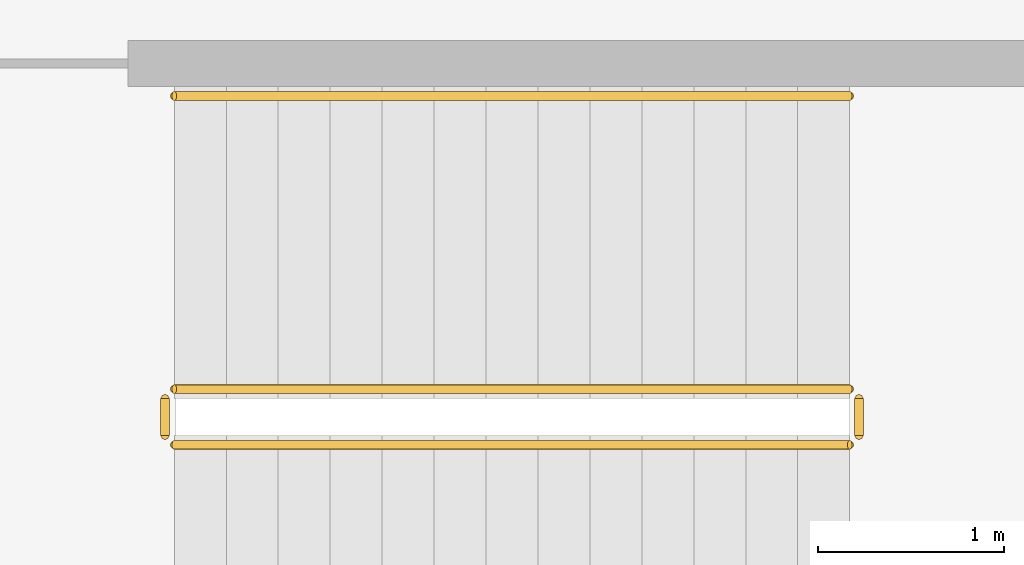
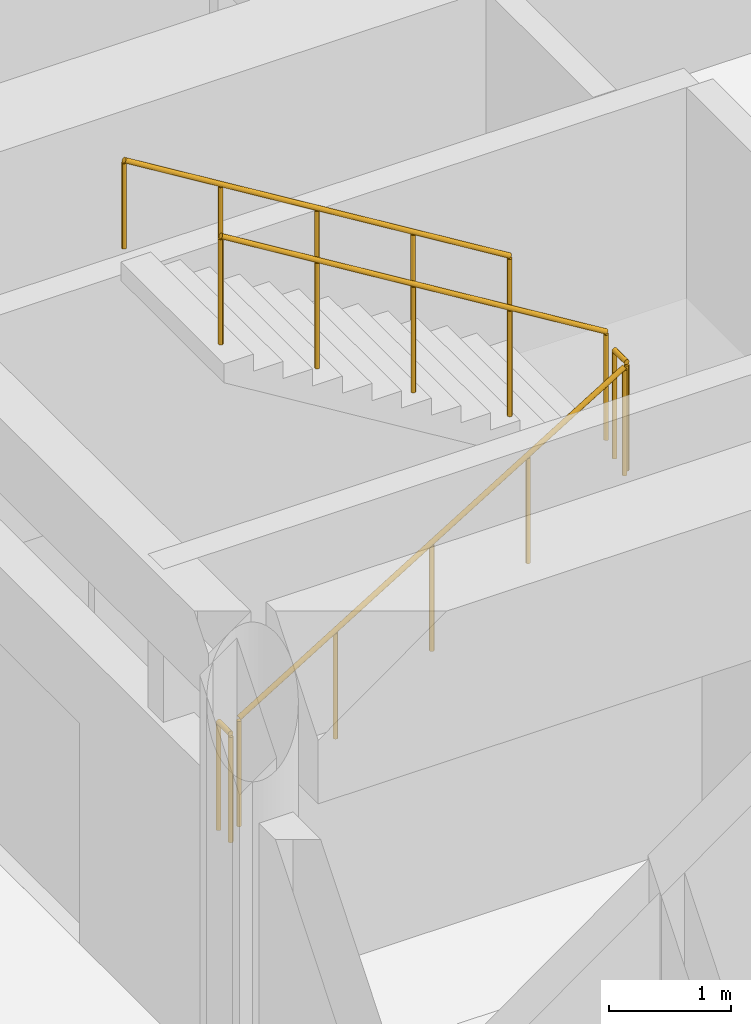
# One storey, part 105 of 122: 5 railings.
"""IFC4 building model written with IfcOpenShell, lengths in metres."""

from ifc_helpers import new_model, si_unit, direction, frame, origin, origin_2d, place, context, subcontext, project, spatial, circle, extrude, material, layer, layer_set, type_object, element, save


model = new_model("IFC4")

# Units and contexts
model_context = context("Model", 3, precision=1e-05, world=origin(), true_north=direction((0.0, 1.0)))
body_context = subcontext(model_context, "Body", "Model", "MODEL_VIEW")
ifc_project = project(units=[si_unit("LENGTHUNIT", "METRE"), si_unit("AREAUNIT", "SQUARE_METRE"), si_unit("VOLUMEUNIT", "CUBIC_METRE"), si_unit("PLANEANGLEUNIT", "RADIAN"), si_unit("MASSUNIT", "GRAM", prefix="KILO")], contexts=[model_context])

# Site, building, storey
site_placement = place(None, origin())
site = spatial("IfcSite", under=ifc_project, at=site_placement, CompositionType="ELEMENT")
building_placement = place(site_placement, origin())
building = spatial("IfcBuilding", under=site, at=building_placement, Name="Qasida Concert Hall", CompositionType="ELEMENT")
storey_placement = place(building_placement, origin())
storey = spatial("IfcBuildingStorey", under=building, at=storey_placement, Name="L00", CompositionType="ELEMENT", Elevation=0.0)

# Railings
ifc_material_1 = material(Name="Patinated architectural bronze and laminated glass infill", Category="glass")
ifc_layer_1 = layer(ifc_material_1, 0.080078125, Name="Patinated architectural bronze and laminated glass infill")
ifc_layer_set_1 = layer_set([ifc_layer_1], Name="Patinated architectural bronze and laminated glass infill")
railing_type_1 = type_object("IfcRailingType", Name="RL-GRD-1100", PredefinedType="GUARDRAIL", material=ifc_layer_set_1)
railing_1_placement = place(storey_placement, frame((1.679931640625, 25.6298828125, 0.17138671875)))
element("IfcRailing", 1, at=railing_1_placement, inside=storey, type_object=railing_type_1, Name="L00 ST-03 stair guard 1", PredefinedType="GUARDRAIL", context=body_context, shape_type="SweptSolid", body=[
    extrude(circle(Radius=0.02392578125, at=origin_2d()), frame((0.0, 0.0, 1.076171875), z_axis=(0.852865859571, 0.0, 0.52213008492), x_axis=(0.0, 1.0, 0.0)), (0.0, 0.0, 1.0), 4.26806640625),
    extrude(circle(Radius=0.02099609375, at=origin_2d()), origin(), (0.0, 0.0, 1.0), 1.052001953125),
    extrude(circle(Radius=0.02099609375, at=origin_2d()), frame((0.91015625, 0.0, 0.55712890625)), (0.0, 0.0, 1.0), 1.052001953125),
    extrude(circle(Radius=0.02099609375, at=origin_2d()), frame((1.820068359375, 0.0, 1.1142578125)), (0.0, 0.0, 1.0), 1.052001953125),
    extrude(circle(Radius=0.02099609375, at=origin_2d()), frame((2.72998046875, 0.0, 1.67138671875)), (0.0, 0.0, 1.0), 1.052001953125),
    extrude(circle(Radius=0.02099609375, at=origin_2d()), frame((3.64013671875, 0.0, 2.228515625)), (0.0, 0.0, 1.0), 1.052001953125),
])
railing_2_placement = place(storey_placement, frame((5.3701171875, 25.679931640625, 2.39990234375)))
element("IfcRailing", 2, at=railing_2_placement, inside=storey, type_object=railing_type_1, Name="L00 ST-03 stair guard 2", PredefinedType="GUARDRAIL", context=body_context, shape_type="SweptSolid", body=[
    extrude(circle(Radius=0.02392578125, at=origin_2d()), frame((0.0, 0.0, 1.076171875), z_axis=(0.0, 1.0, 0.0), x_axis=(-1.0, 0.0, 0.0)), (0.0, 0.0, 1.0), 0.199951171875),
    extrude(circle(Radius=0.02099609375, at=origin_2d()), origin(), (0.0, 0.0, 1.0), 1.052001953125),
    extrude(circle(Radius=0.02099609375, at=origin_2d()), frame((0.0, 0.199951171875, 0.0)), (0.0, 0.0, 1.0), 1.052001953125),
])
railing_3_placement = place(storey_placement, frame((5.320068359375, 25.929931640625, 2.571533203125)))
element("IfcRailing", 3, at=railing_3_placement, inside=storey, type_object=railing_type_1, Name="L00 ST-03 stair guard 3", PredefinedType="GUARDRAIL", context=body_context, shape_type="SweptSolid", body=[
    extrude(circle(Radius=0.02392578125, at=origin_2d()), frame((0.0, 0.0, 1.076171875), z_axis=(-0.852865859571, 0.0, 0.52213008492), x_axis=(0.0, -1.0, 0.0)), (0.0, 0.0, 1.0), 4.26806640625),
    extrude(circle(Radius=0.02099609375, at=origin_2d()), origin(), (0.0, 0.0, 1.0), 1.052001953125),
    extrude(circle(Radius=0.02099609375, at=origin_2d()), frame((-0.91015625, 0.0, 0.55712890625)), (0.0, 0.0, 1.0), 1.052001953125),
    extrude(circle(Radius=0.02099609375, at=origin_2d()), frame((-1.820068359375, 0.0, 1.1142578125)), (0.0, 0.0, 1.0), 1.052001953125),
    extrude(circle(Radius=0.02099609375, at=origin_2d()), frame((-2.72998046875, 0.0, 1.67138671875)), (0.0, 0.0, 1.0), 1.052001953125),
    extrude(circle(Radius=0.02099609375, at=origin_2d()), frame((-3.64013671875, 0.0, 2.228515625)), (0.0, 0.0, 1.0), 1.052001953125),
])
railing_4_placement = place(storey_placement, frame((1.6298828125, 25.679931640625, 0.0)))
element("IfcRailing", 4, at=railing_4_placement, inside=storey, type_object=railing_type_1, Name="L00 ST-03 stair guard 4", PredefinedType="GUARDRAIL", context=body_context, shape_type="SweptSolid", body=[
    extrude(circle(Radius=0.02392578125, at=origin_2d()), frame((0.0, 0.0, 1.076171875), z_axis=(0.0, 1.0, 0.0), x_axis=(-1.0, 0.0, 0.0)), (0.0, 0.0, 1.0), 0.199951171875),
    extrude(circle(Radius=0.02099609375, at=origin_2d()), origin(), (0.0, 0.0, 1.0), 1.052001953125),
    extrude(circle(Radius=0.02099609375, at=origin_2d()), frame((0.0, 0.199951171875, 0.0)), (0.0, 0.0, 1.0), 1.052001953125),
])
ifc_material_2 = material(Name="Patinated tubular architectural bronze", Category="steel")
ifc_layer_2 = layer(ifc_material_2, 0.050048828125, Name="Patinated tubular architectural bronze")
ifc_layer_set_2 = layer_set([ifc_layer_2], Name="Patinated tubular architectural bronze")
railing_type_2 = type_object("IfcRailingType", Name="RL-HND-900", PredefinedType="HANDRAIL", material=ifc_layer_set_2)
railing_5_placement = place(storey_placement, frame((5.320068359375, 27.510009765625, 2.571533203125)))
element("IfcRailing", 5, at=railing_5_placement, inside=storey, type_object=railing_type_2, Name="L00 ST-03 stair handrail 2", PredefinedType="HANDRAIL", context=body_context, shape_type="SweptSolid", body=[
    extrude(circle(Radius=0.02392578125, at=origin_2d()), frame((0.0, 0.0, 0.8759765625), z_axis=(-0.852865859571, 0.0, 0.52213008492), x_axis=(0.0, -1.0, 0.0)), (0.0, 0.0, 1.0), 4.26806640625),
    extrude(circle(Radius=0.02099609375, at=origin_2d()), origin(), (0.0, 0.0, 1.0), 0.851806640625),
    extrude(circle(Radius=0.02099609375, at=origin_2d()), frame((-0.91015625, 0.0, 0.55712890625)), (0.0, 0.0, 1.0), 0.851806640625),
    extrude(circle(Radius=0.02099609375, at=origin_2d()), frame((-1.820068359375, 0.0, 1.1142578125)), (0.0, 0.0, 1.0), 0.851806640625),
    extrude(circle(Radius=0.02099609375, at=origin_2d()), frame((-2.72998046875, 0.0, 1.67138671875)), (0.0, 0.0, 1.0), 0.851806640625),
    extrude(circle(Radius=0.02099609375, at=origin_2d()), frame((-3.64013671875, 0.0, 2.228515625)), (0.0, 0.0, 1.0), 0.851806640625),
])

save(model, "model.ifc")
